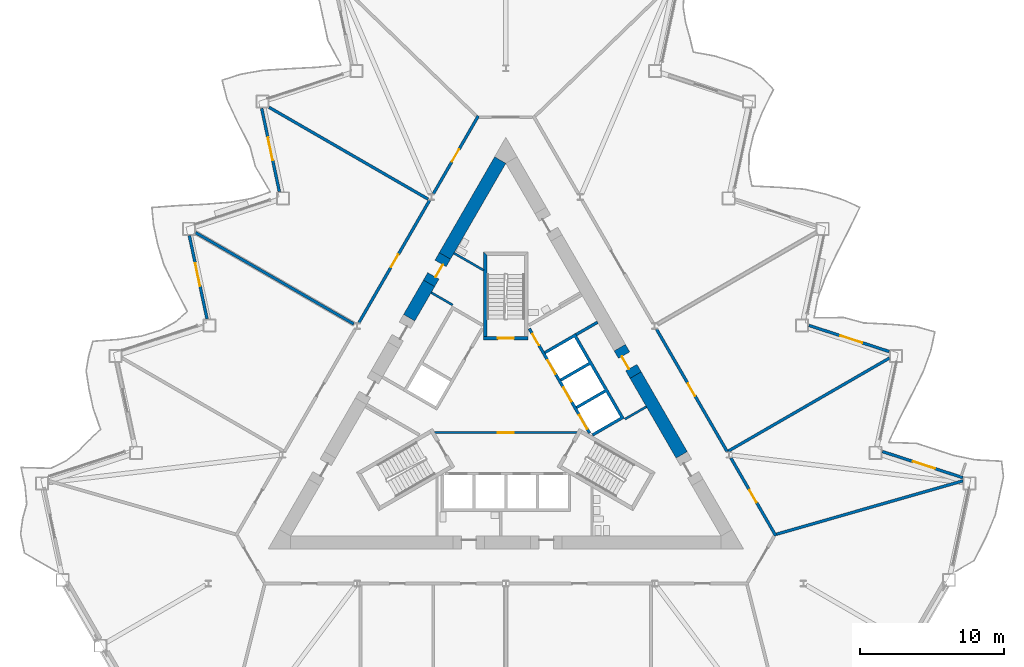
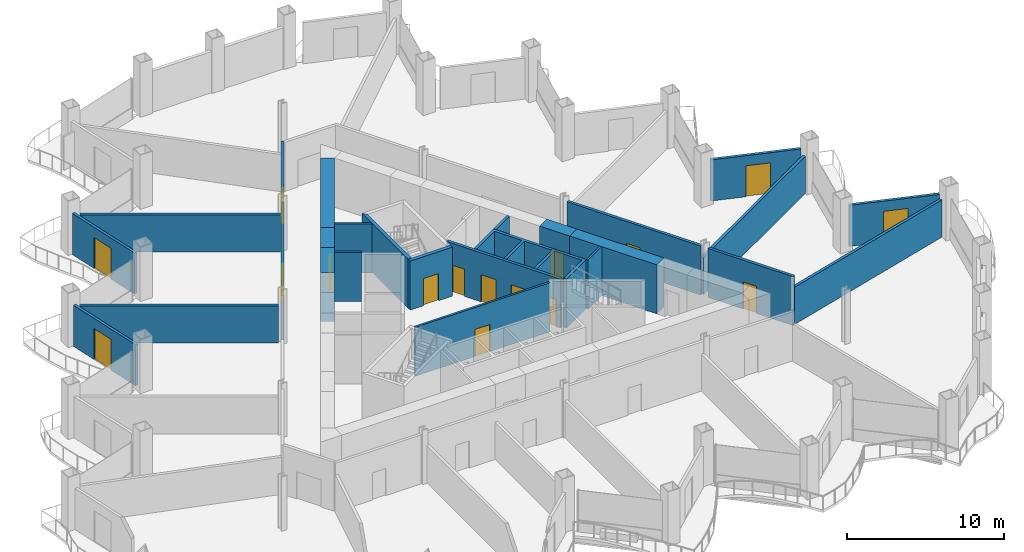
# One storey, part 12 of 21: 26 walls, 16 doors, 16 openings.
"""IFC4 building model written with IfcOpenShell, lengths in metres."""

import ifcopenshell
import ifcopenshell.guid

model = None  # the IFC model being written
_history = None  # IfcOwnerHistory: only IFC2X3 demands one
_inside = {}  # id of a spatial element -> (the spatial element, [elements in it])
_under = {}  # id of a project, library or spatial element -> (it, [spatial elements below it])
_declared = {}  # id of a project -> (the project, [libraries it declares])
_typed = {}  # id of a type object -> (the type object, [elements of that type])
_made_of = {}  # id of a material, layer set ... -> (it, [elements and type objects made of it])


def new_model(schema):
    """Start an empty IFC model of exactly this schema.

    Asked for "IFC4X3", IfcOpenShell would pick the latest addendum, in which some entities
    have other attributes; the version numbers below select the first issue.
    IFC2X3 requires an IfcOwnerHistory on every rooted entity: one is made here for all.
    """
    global model, _history
    if schema == "IFC4X3":
        model = ifcopenshell.file(schema_version=(4, 3, 0, 0))
    else:
        model = ifcopenshell.file(schema=schema)
    _inside.clear()
    _under.clear()
    _declared.clear()
    _typed.clear()
    _made_of.clear()
    _history = None
    if model.schema == "IFC2X3":
        org = make("IfcOrganization", Name="unknown")
        user = make(
            "IfcPersonAndOrganization",
            ThePerson=make("IfcPerson", FamilyName="unknown"),
            TheOrganization=org,
        )
        app = make(
            "IfcApplication",
            ApplicationDeveloper=org,
            Version="unknown",
            ApplicationFullName="unknown",
            ApplicationIdentifier="unknown",
        )
        _history = make(
            "IfcOwnerHistory",
            OwningUser=user,
            OwningApplication=app,
            ChangeAction="ADDED",
            CreationDate=0,
        )
    return model


def make(cls, **values):
    """One entity of the class cls with the attributes given. An attribute that is None is left unset."""
    return model.create_entity(
        cls, **{name: value for name, value in values.items() if value is not None}
    )


def rooted(cls, **values):
    """An entity with a GlobalId (a new one), such as an element, a storey or a relation."""
    return make(cls, GlobalId=ifcopenshell.guid.new(), OwnerHistory=_history, **values)


def si_unit(unit_type, name, prefix=None):
    """IfcSIUnit, for example si_unit("LENGTHUNIT", "METRE", prefix="MILLI")."""
    return make("IfcSIUnit", UnitType=unit_type, Prefix=prefix, Name=name)


def assignment(units):
    """IfcUnitAssignment: the units of a project."""
    return None if units is None else make("IfcUnitAssignment", Units=units)


def point(xyz):
    """IfcCartesianPoint."""
    return None if xyz is None else make("IfcCartesianPoint", Coordinates=xyz)


def direction(xyz):
    """IfcDirection."""
    return None if xyz is None else make("IfcDirection", DirectionRatios=xyz)


def frame(location, z_axis=None, x_axis=None):
    """IfcAxis2Placement3D, a coordinate frame: its origin and axes. An axis left out is left unset."""
    return make(
        "IfcAxis2Placement3D",
        Location=point(location),
        Axis=direction(z_axis),
        RefDirection=direction(x_axis),
    )


def frame_2d(location, x_axis=None):
    """IfcAxis2Placement2D, a coordinate frame in the plane: its origin and x axis."""
    return make(
        "IfcAxis2Placement2D", Location=point(location), RefDirection=direction(x_axis)
    )


def origin():
    """The frame at (0, 0, 0) with its axes left unset."""
    return frame((0.0, 0.0, 0.0))


def place(relative_to, where):
    """IfcLocalPlacement: puts the frame where relative to a parent placement (None: the world)."""
    return make(
        "IfcLocalPlacement", PlacementRelTo=relative_to, RelativePlacement=where
    )


def context(
    kind, dimensions, precision=None, world=None, true_north=None, identifier=None
):
    """IfcGeometricRepresentationContext, for example the 3D "Model" context."""
    return make(
        "IfcGeometricRepresentationContext",
        ContextIdentifier=identifier,
        ContextType=kind,
        CoordinateSpaceDimension=dimensions,
        Precision=precision,
        WorldCoordinateSystem=world,
        TrueNorth=true_north,
    )


def subcontext(parent, identifier, kind, view, scale=None):
    """IfcGeometricRepresentationSubContext, for example "Body" below "Model"."""
    return make(
        "IfcGeometricRepresentationSubContext",
        ContextIdentifier=identifier,
        ContextType=kind,
        ParentContext=parent,
        TargetScale=scale,
        TargetView=view,
    )


def project(units=None, contexts=None):
    """IfcProject with its units and contexts."""
    return rooted(
        "IfcProject",
        Name="project",
        RepresentationContexts=contexts,
        UnitsInContext=assignment(units),
    )


def spatial(cls, under=None, at=None, **own):
    """A site, building, storey or space (cls), placed at a placement, below another one or the project."""
    s = rooted(cls, ObjectPlacement=at, **own)
    if under is not None:
        _under.setdefault(under.id(), (under, []))[1].append(s)
    return s


def polyline(points):
    """IfcPolyline through the points."""
    return make("IfcPolyline", Points=[point(p) for p in points])


def profile(cls, at=None, kind="AREA", **sizes):
    """A parametric profile (cls). Its sizes go by their IFC names, for example OverallWidth=200.0."""
    return make(cls, ProfileType=kind, Position=at, **sizes)


def rectangle(**sizes):
    """IfcRectangleProfileDef."""
    return profile("IfcRectangleProfileDef", **sizes)


def outline(outer, holes=None, kind="AREA"):
    """IfcArbitraryClosedProfileDef: a profile drawn as a closed curve; with holes, ...WithVoids."""
    if holes is None:
        return make("IfcArbitraryClosedProfileDef", ProfileType=kind, OuterCurve=outer)
    return make(
        "IfcArbitraryProfileDefWithVoids",
        ProfileType=kind,
        OuterCurve=outer,
        InnerCurves=holes,
    )


def extrude(swept, where, along, depth):
    """IfcExtrudedAreaSolid: the profile swept, set in the frame where, extruded along a direction by depth."""
    return make(
        "IfcExtrudedAreaSolid",
        SweptArea=swept,
        Position=where,
        ExtrudedDirection=direction(along),
        Depth=depth,
    )


def shape(context_of_items, identifier, shape_type, items):
    """IfcShapeRepresentation: the items that make up one representation, for example the "Body"."""
    return make(
        "IfcShapeRepresentation",
        ContextOfItems=context_of_items,
        RepresentationIdentifier=identifier,
        RepresentationType=shape_type,
        Items=items,
    )


def material(Name=None, Category=None):
    """IfcMaterial."""
    return make("IfcMaterial", Name=Name, Category=Category)


def layer(
    of_material, thickness, ventilated=None, Name=None, Category=None, Priority=None
):
    """IfcMaterialLayer: one layer of a wall or slab, of a material (None: an air gap)."""
    return make(
        "IfcMaterialLayer",
        Material=of_material,
        LayerThickness=thickness,
        IsVentilated=ventilated,
        Name=Name,
        Category=Category,
        Priority=Priority,
    )


def layer_set(layers, Name=None):
    """IfcMaterialLayerSet."""
    return make("IfcMaterialLayerSet", MaterialLayers=layers, LayerSetName=Name)


def made_of(thing, what):
    """Note that an element or type object is made of a material, layer set ...; save() writes the relation."""
    if what is not None:
        _made_of.setdefault(what.id(), (what, []))[1].append(thing)
    return thing


def type_object(cls, material=None, **own):
    """A type object (cls), such as IfcWallType, which elements share."""
    return made_of(rooted(cls, **own), material)


def element(
    cls,
    number,
    at=None,
    inside=None,
    cuts=None,
    type_object=None,
    material=None,
    context=None,
    identifier="Body",
    shape_type=None,
    held_by="IfcProductDefinitionShape",
    body=None,
    shapes=None,
    **own,
):
    """One element of the class cls, such as IfcWall. Its Tag is "e" and its number.

    at: its placement. inside: the storey or other place that contains it. cuts: it is an
    opening in that element (IfcRelVoidsElement). A single representation is given by context,
    identifier, shape_type and body (its items); several are given by shapes. held_by: the class
    of the entity that holds the representations. save() writes the other relations.
    """
    e = rooted(cls, Tag="e%d" % number, ObjectPlacement=at, **own)
    if body is not None:
        shapes = [shape(context, identifier, shape_type, body)]
    if shapes is not None:
        e.Representation = make(held_by, Representations=shapes)
    if inside is not None:
        _inside.setdefault(inside.id(), (inside, []))[1].append(e)
    if cuts is not None:
        rooted(
            "IfcRelVoidsElement", RelatingBuildingElement=cuts, RelatedOpeningElement=e
        )
    if type_object is not None:
        _typed.setdefault(type_object.id(), (type_object, []))[1].append(e)
    return made_of(e, material)


def fill(opening, filler):
    """IfcRelFillsElement: the door or window that sits in an opening."""
    return rooted(
        "IfcRelFillsElement",
        RelatingOpeningElement=opening,
        RelatedBuildingElement=filler,
    )


def aggregate(whole, parts):
    """IfcRelAggregates: a whole, such as a stair, and the parts it consists of."""
    return rooted("IfcRelAggregates", RelatingObject=whole, RelatedObjects=parts)


def save(model, path):
    """Write the relations noted so far, then the file.

    IfcRelAggregates (storeys below a building ...), IfcRelContainedInSpatialStructure (elements
    in a storey), IfcRelDefinesByType, IfcRelAssociatesMaterial and IfcRelDeclares: one each for
    every whole, place, type object, material and project.
    """
    for whole, parts in _under.values():
        aggregate(whole, parts)
    for where, things in _inside.values():
        rooted(
            "IfcRelContainedInSpatialStructure",
            RelatedElements=things,
            RelatingStructure=where,
        )
    for kind, things in _typed.values():
        rooted("IfcRelDefinesByType", RelatedObjects=things, RelatingType=kind)
    for what, things in _made_of.values():
        rooted("IfcRelAssociatesMaterial", RelatedObjects=things, RelatingMaterial=what)
    for by, libraries in _declared.values():
        rooted("IfcRelDeclares", RelatingContext=by, RelatedDefinitions=libraries)
    model.write(path)


model = new_model("IFC4")

# Units and contexts
model_context = context("Model", 3, precision=1e-05, world=origin(), true_north=direction((0.0, 1.0)))
body_context = subcontext(model_context, "Body", "Model", "MODEL_VIEW")
ifc_project = project(units=[si_unit("LENGTHUNIT", "METRE"), si_unit("AREAUNIT", "SQUARE_METRE"), si_unit("VOLUMEUNIT", "CUBIC_METRE"), si_unit("PLANEANGLEUNIT", "RADIAN"), si_unit("MASSUNIT", "GRAM", prefix="KILO")], contexts=[model_context])

# Site, building, storey
site_placement = place(None, origin())
site = spatial("IfcSite", under=ifc_project, at=site_placement, CompositionType="ELEMENT")
building_placement = place(site_placement, origin())
building = spatial("IfcBuilding", under=site, at=building_placement, Name="Cormorant Prow Tower", CompositionType="ELEMENT")
storey_placement = place(building_placement, frame((0.0, 0.0, 124.800048828125)))
storey = spatial("IfcBuildingStorey", under=building, at=storey_placement, Name="L26", CompositionType="ELEMENT", Elevation=124.800048828125)

# Wall, opening, door
ifc_material_1 = material(Name="Gypsum board partition")
ifc_layer_1 = layer(ifc_material_1, 0.14990234375)
ifc_layer_set_1 = layer_set([ifc_layer_1], Name="Gypsum board partition")
wall_type_1 = type_object("IfcWallType", Name="Core partition 150", PredefinedType="PARTITIONING", material=ifc_layer_set_1)
wall_1_placement = place(storey_placement, frame((-4.941162109375, -1.449951171875, 0.0), z_axis=(0.0, 0.0, 1.0), x_axis=(1.0, 0.0, 0.0)))
wall_1 = element("IfcWall", 1, at=wall_1_placement, inside=storey, type_object=wall_type_1, Name="Firefighting lobby partition", PredefinedType="PARTITIONING", context=body_context, shape_type="SweptSolid", body=[
    extrude(rectangle(XDim=9.88232421875, YDim=0.14990234375, at=frame_2d((4.941162109375, 0.0))), origin(), (0.0, 0.0, 1.0), 3.800048828125),
])
opening_1_placement = place(wall_1_placement, frame((4.39111328125, 0.0, 0.0)))
opening_1 = element("IfcOpeningElement", 2, at=opening_1_placement, cuts=wall_1, Name="Opening L26-C10", PredefinedType="OPENING", context=body_context, shape_type="SweptSolid", body=[
    extrude(rectangle(XDim=1.10009765625, YDim=2.10009765625, at=frame_2d((0.550048828125, 1.050048828125))), frame((0.0, 0.0849609375, 0.0), z_axis=(0.0, -1.0, 0.0), x_axis=(1.0, 0.0, 0.0)), (0.0, 0.0, 1.0), 0.169921875),
])
ifc_material_2 = material(Name="Painted steel", Category="steel")
door_type_1 = type_object("IfcDoorType", Name="Firefighting lobby door 1100x2100", OperationType="NOTDEFINED", PredefinedType="DOOR", material=ifc_material_2)
door_1_placement = place(opening_1_placement, origin())
door_1 = element("IfcDoor", 3, at=door_1_placement, inside=storey, type_object=door_type_1, Name="Firefighting lobby door", OperationType="SINGLE_SWING_LEFT", OverallHeight=2.10009765625, OverallWidth=1.10009765625, PredefinedType="DOOR", context=body_context, shape_type="SweptSolid", body=[
    extrude(rectangle(XDim=1.10009765625, YDim=2.10009765625, at=frame_2d((0.550048828125, 1.050048828125))), frame((0.0, 0.02490234375, 0.0), z_axis=(0.0, -1.0, 0.0), x_axis=(1.0, 0.0, 0.0)), (0.0, 0.0, 1.0), 0.050048828125),
])
fill(opening_1, door_1)

# Walls
for number, where, z_axis, x_axis, name in (
    (4, (8.268310546875, -0.509033203125, 0.0), (0.0, 0.0, 1.0), (0.866024871741, 0.500000921525, 0.0), "Service room partition"),
    (5, (-3.693359375, 7.4150390625, 0.0), (0.0, 0.0, 1.0), (-0.866024871741, 0.500000921525, 0.0), "Service room partition"),
):
    element("IfcWall", number, at=place(storey_placement, frame(where, z_axis=z_axis, x_axis=x_axis)), inside=storey, type_object=wall_type_1, Name=name, PredefinedType="PARTITIONING", context=body_context, shape_type="SweptSolid", body=[
        extrude(rectangle(XDim=1.72021484375, YDim=0.14990234375, at=frame_2d((0.860107421875, 0.0))), origin(), (0.0, 0.0, 1.0), 3.800048828125),
    ])
wall_2_placement = place(storey_placement, frame((-3.601806640625, 11.013916015625, 0.0), z_axis=(0.0, 0.0, 1.0), x_axis=(0.866011787705, -0.500023583, 0.0)))
element("IfcWall", 6, at=wall_2_placement, inside=storey, type_object=wall_type_1, Name="Service room partition", PredefinedType="PARTITIONING", context=body_context, shape_type="SweptSolid", body=[
    extrude(rectangle(XDim=2.38623046875, YDim=0.14990234375, at=frame_2d((1.193115234375, 0.0))), origin(), (0.0, 0.0, 1.0), 3.800048828125),
])
ifc_material_3 = material(Name="Concrete 8000 psi", Category="concrete")
ifc_layer_2 = layer(ifc_material_3, 0.89990234375)
ifc_layer_set_2 = layer_set([ifc_layer_2], Name="Concrete 8000 psi")
wall_type_2 = type_object("IfcWallType", Name="Core shear wall 900", PredefinedType="SHEAR", material=ifc_layer_set_2)
wall_3_placement = place(storey_placement, frame((12.2080078125, -2.992431640625, 0.0), z_axis=(0.0, 0.0, 1.0), x_axis=(-0.499990106751, 0.866031115579, 0.0)))
element("IfcWall", 7, at=wall_3_placement, inside=storey, type_object=wall_type_2, Name="Core wall", PredefinedType="SHEAR", context=body_context, shape_type="SweptSolid", body=[
    extrude(rectangle(XDim=6.395751953125, YDim=0.89990234375, at=frame_2d((3.19775390625, 0.0))), origin(), (0.0, 0.0, 1.0), 3.800048828125),
])
wall_4_placement = place(storey_placement, frame((-0.3896484375, 17.4775390625, 0.0), z_axis=(0.0, 0.0, 1.0), x_axis=(-0.500010285023, -0.866019465642, 0.0)))
element("IfcWall", 8, at=wall_4_placement, inside=storey, type_object=wall_type_2, Name="Core wall", PredefinedType="SHEAR", context=body_context, shape_type="SweptSolid", body=[
    extrude(rectangle(XDim=7.684814453125, YDim=0.89990234375, at=frame_2d((3.84228515625, 0.0))), origin(), (0.0, 0.0, 1.0), 3.800048828125),
])
wall_5_placement = place(storey_placement, frame((-5.332275390625, 8.9169921875, 0.0), z_axis=(0.0, 0.0, 1.0), x_axis=(-0.499949934511, -0.866054307178, 0.0)))
element("IfcWall", 9, at=wall_5_placement, inside=storey, type_object=wall_type_2, Name="Core wall", PredefinedType="SHEAR", context=body_context, shape_type="SweptSolid", body=[
    extrude(rectangle(XDim=2.756103515625, YDim=0.89990234375, at=frame_2d((1.3779296875, 0.0))), origin(), (0.0, 0.0, 1.0), 3.800048828125),
])

# Wall, opening, door
wall_6_placement = place(storey_placement, frame((9.01025390625, 2.54638671875, 0.0), z_axis=(0.0, 0.0, 1.0), x_axis=(-0.499994660107, 0.866028486751, 0.0)))
wall_6 = element("IfcWall", 10, at=wall_6_placement, inside=storey, type_object=wall_type_2, Name="Core wall door panel", PredefinedType="SHEAR", context=body_context, shape_type="SweptSolid", body=[
    extrude(rectangle(XDim=2.19970703125, YDim=0.89990234375, at=frame_2d((1.099853515625, 0.0))), origin(), (0.0, 0.0, 1.0), 3.800048828125),
])
opening_2_placement = place(wall_6_placement, frame((0.60009765625, 0.0, 0.0)))
opening_2 = element("IfcOpeningElement", 11, at=opening_2_placement, cuts=wall_6, Name="Opening L26-C18", PredefinedType="OPENING", context=body_context, shape_type="SweptSolid", body=[
    extrude(rectangle(XDim=1.0, YDim=2.10009765625, at=frame_2d((0.5, 1.050048828125))), frame((0.0, 0.4599609375, 0.0), z_axis=(0.0, -1.0, 0.0), x_axis=(1.0, 0.0, 0.0)), (0.0, 0.0, 1.0), 0.919921875),
])
ifc_material_4 = material(Name="Painted steel", Category="steel")
door_type_2 = type_object("IfcDoorType", Name="Service door 1000x2100", OperationType="NOTDEFINED", PredefinedType="DOOR", material=ifc_material_4)
door_2_placement = place(opening_2_placement, origin())
door_2 = element("IfcDoor", 12, at=door_2_placement, inside=storey, type_object=door_type_2, Name="Core door, Housekeeping store", OperationType="SINGLE_SWING_LEFT", OverallHeight=2.10009765625, OverallWidth=1.0, PredefinedType="DOOR", context=body_context, shape_type="SweptSolid", body=[
    extrude(rectangle(XDim=1.0, YDim=2.10009765625, at=frame_2d((0.5, 1.050048828125))), frame((0.0, 0.205078125, 0.0), z_axis=(0.0, -1.0, 0.0), x_axis=(1.0, 0.0, 0.0)), (0.0, 0.0, 1.0), 0.050048828125),
])
fill(opening_2, door_2)

wall_7_placement = place(storey_placement, frame((-4.232177734375, 10.822265625, 0.0), z_axis=(0.0, 0.0, 1.0), x_axis=(-0.50002983664, -0.866008176907, 0.0)))
wall_7 = element("IfcWall", 13, at=wall_7_placement, inside=storey, type_object=wall_type_2, Name="Core wall door panel", PredefinedType="SHEAR", context=body_context, shape_type="SweptSolid", body=[
    extrude(rectangle(XDim=2.199951171875, YDim=0.89990234375, at=frame_2d((1.10009765625, 0.0))), origin(), (0.0, 0.0, 1.0), 3.800048828125),
])
opening_3_placement = place(wall_7_placement, frame((0.60009765625, 0.0, 0.0)))
opening_3 = element("IfcOpeningElement", 14, at=opening_3_placement, cuts=wall_7, Name="Opening L26-C20", PredefinedType="OPENING", context=body_context, shape_type="SweptSolid", body=[
    extrude(rectangle(XDim=1.0, YDim=2.10009765625, at=frame_2d((0.5, 1.050048828125))), frame((0.0, 0.4599609375, 0.0), z_axis=(0.0, -1.0, 0.0), x_axis=(1.0, 0.0, 0.0)), (0.0, 0.0, 1.0), 0.919921875),
])
door_3_placement = place(opening_3_placement, origin())
door_3 = element("IfcDoor", 15, at=door_3_placement, inside=storey, type_object=door_type_2, Name="Core door, Linen store", OperationType="SINGLE_SWING_RIGHT", OverallHeight=2.10009765625, OverallWidth=1.0, PredefinedType="DOOR", context=body_context, shape_type="SweptSolid", body=[
    extrude(rectangle(XDim=1.0, YDim=2.10009765625, at=frame_2d((0.5, 1.050048828125))), frame((0.0, 0.205078125, 0.0), z_axis=(0.0, -1.0, 0.0), x_axis=(1.0, 0.0, 0.0)), (0.0, 0.0, 1.0), 0.050048828125),
])
fill(opening_3, door_3)

ifc_material_5 = material(Name="Gypsum board corridor wall")
ifc_layer_3 = layer(ifc_material_5, 0.199951171875)
ifc_layer_set_3 = layer_set([ifc_layer_3], Name="Gypsum board corridor wall")
wall_type_3 = type_object("IfcWallType", Name="Corridor wall 200", PredefinedType="PARTITIONING", material=ifc_layer_set_3)
wall_8_placement = place(storey_placement, frame((10.459716796875, 5.735595703125, 0.0), z_axis=(0.0, 0.0, 1.0), x_axis=(0.500004141693, -0.866023012564, 0.0)))
wall_8 = element("IfcWall", 16, at=wall_8_placement, inside=storey, type_object=wall_type_3, Name="Corridor wall", PredefinedType="PARTITIONING", context=body_context, shape_type="SweptSolid", body=[
    extrude(rectangle(XDim=9.80322265625, YDim=0.199951171875, at=frame_2d((4.901611328125, 0.0))), origin(), (0.0, 0.0, 1.0), 3.800048828125),
])
opening_4_placement = place(wall_8_placement, frame((4.3515625, 0.0, 0.0)))
opening_4 = element("IfcOpeningElement", 17, at=opening_4_placement, cuts=wall_8, Name="Opening L26-F08", PredefinedType="OPENING", context=body_context, shape_type="SweptSolid", body=[
    extrude(rectangle(XDim=1.0, YDim=2.10009765625, at=frame_2d((0.5, 1.050048828125))), frame((0.0, 0.10986328125, 0.0), z_axis=(0.0, -1.0, 0.0), x_axis=(1.0, 0.0, 0.0)), (0.0, 0.0, 1.0), 0.219970703125),
])
ifc_material_6 = material(Name="Timber door leaf", Category="wood")
door_type_3 = type_object("IfcDoorType", Name="Office door 1000x2100", OperationType="NOTDEFINED", PredefinedType="DOOR", material=ifc_material_6)
door_4_placement = place(opening_4_placement, origin())
door_4 = element("IfcDoor", 18, at=door_4_placement, inside=storey, type_object=door_type_3, Name="Co-working room door", OperationType="SINGLE_SWING_LEFT", OverallHeight=2.10009765625, OverallWidth=1.0, PredefinedType="DOOR", context=body_context, shape_type="SweptSolid", body=[
    extrude(rectangle(XDim=1.0, YDim=2.10009765625, at=frame_2d((0.5, 1.050048828125))), frame((0.0, 0.02490234375, 0.0), z_axis=(0.0, -1.0, 0.0), x_axis=(1.0, 0.0, 0.0)), (0.0, 0.0, 1.0), 0.050048828125),
])
fill(opening_4, door_4)

wall_9_placement = place(storey_placement, frame((-10.197265625, 6.1904296875, 0.0), z_axis=(0.0, 0.0, 1.0), x_axis=(0.500012035596, 0.866018454918, 0.0)))
wall_9 = element("IfcWall", 19, at=wall_9_placement, inside=storey, type_object=wall_type_3, Name="Corridor wall", PredefinedType="PARTITIONING", context=body_context, shape_type="SweptSolid", body=[
    extrude(rectangle(XDim=9.803466796875, YDim=0.199951171875, at=frame_2d((4.90185546875, 0.0))), origin(), (0.0, 0.0, 1.0), 3.800048828125),
])
opening_5_placement = place(wall_9_placement, frame((4.45166015625, 0.0, 0.0)))
opening_5 = element("IfcOpeningElement", 20, at=opening_5_placement, cuts=wall_9, Name="Opening L26-F12", PredefinedType="OPENING", context=body_context, shape_type="SweptSolid", body=[
    extrude(rectangle(XDim=1.0, YDim=2.10009765625, at=frame_2d((0.5, 1.050048828125))), frame((0.0, 0.10986328125, 0.0), z_axis=(0.0, -1.0, 0.0), x_axis=(1.0, 0.0, 0.0)), (0.0, 0.0, 1.0), 0.219970703125),
])
door_5_placement = place(opening_5_placement, origin())
door_5 = element("IfcDoor", 21, at=door_5_placement, inside=storey, type_object=door_type_3, Name="Tenant suite door", OperationType="SINGLE_SWING_RIGHT", OverallHeight=2.10009765625, OverallWidth=1.0, PredefinedType="DOOR", context=body_context, shape_type="SweptSolid", body=[
    extrude(rectangle(XDim=1.0, YDim=2.10009765625, at=frame_2d((0.5, 1.050048828125))), frame((0.0, 0.02490234375, 0.0), z_axis=(0.0, -1.0, 0.0), x_axis=(1.0, 0.0, 0.0)), (0.0, 0.0, 1.0), 0.050048828125),
])
fill(opening_5, door_5)

wall_10_placement = place(storey_placement, frame((-5.032958984375, 15.13525390625, 0.0), z_axis=(0.0, 0.0, 1.0), x_axis=(0.499980978912, 0.866036385336, 0.0)))
wall_10 = element("IfcWall", 22, at=wall_10_placement, inside=storey, type_object=wall_type_3, Name="Corridor wall", PredefinedType="PARTITIONING", context=body_context, shape_type="SweptSolid", body=[
    extrude(rectangle(XDim=6.239990234375, YDim=0.199951171875, at=frame_2d((3.1201171875, 0.0))), origin(), (0.0, 0.0, 1.0), 3.800048828125),
])
opening_6_placement = place(wall_10_placement, frame((2.569580078125, 0.0, 0.0)))
opening_6 = element("IfcOpeningElement", 23, at=opening_6_placement, cuts=wall_10, Name="Opening L26-F11", PredefinedType="OPENING", context=body_context, shape_type="SweptSolid", body=[
    extrude(rectangle(XDim=1.0, YDim=2.10009765625, at=frame_2d((0.5, 1.050048828125))), frame((0.0, 0.10986328125, 0.0), z_axis=(0.0, -1.0, 0.0), x_axis=(1.0, 0.0, 0.0)), (0.0, 0.0, 1.0), 0.219970703125),
])
door_6_placement = place(opening_6_placement, origin())
door_6 = element("IfcDoor", 24, at=door_6_placement, inside=storey, type_object=door_type_3, Name="Open-plan office door", OperationType="SINGLE_SWING_RIGHT", OverallHeight=2.10009765625, OverallWidth=1.0, PredefinedType="DOOR", context=body_context, shape_type="SweptSolid", body=[
    extrude(rectangle(XDim=1.0, YDim=2.10009765625, at=frame_2d((0.5, 1.050048828125))), frame((0.0, 0.02490234375, 0.0), z_axis=(0.0, -1.0, 0.0), x_axis=(1.0, 0.0, 0.0)), (0.0, 0.0, 1.0), 0.050048828125),
])
fill(opening_6, door_6)

wall_11_placement = place(storey_placement, frame((15.6240234375, -3.208984375, 0.0), z_axis=(0.0, 0.0, 1.0), x_axis=(0.499997920671, -0.866026604282, 0.0)))
wall_11 = element("IfcWall", 25, at=wall_11_placement, inside=storey, type_object=wall_type_3, Name="Corridor wall", PredefinedType="PARTITIONING", context=body_context, shape_type="SweptSolid", body=[
    extrude(rectangle(XDim=6.23974609375, YDim=0.199951171875, at=frame_2d((3.119873046875, 0.0))), origin(), (0.0, 0.0, 1.0), 3.800048828125),
])
opening_7_placement = place(wall_11_placement, frame((2.569580078125, 0.0, 0.0)))
opening_7 = element("IfcOpeningElement", 26, at=opening_7_placement, cuts=wall_11, Name="Opening L26-F07", PredefinedType="OPENING", context=body_context, shape_type="SweptSolid", body=[
    extrude(rectangle(XDim=1.0, YDim=2.10009765625, at=frame_2d((0.5, 1.050048828125))), frame((0.0, 0.10986328125, 0.0), z_axis=(0.0, -1.0, 0.0), x_axis=(1.0, 0.0, 0.0)), (0.0, 0.0, 1.0), 0.219970703125),
])
door_7_placement = place(opening_7_placement, origin())
door_7 = element("IfcDoor", 27, at=door_7_placement, inside=storey, type_object=door_type_3, Name="Tenant suite door", OperationType="SINGLE_SWING_RIGHT", OverallHeight=2.10009765625, OverallWidth=1.0, PredefinedType="DOOR", context=body_context, shape_type="SweptSolid", body=[
    extrude(rectangle(XDim=1.0, YDim=2.10009765625, at=frame_2d((0.5, 1.050048828125))), frame((0.0, 0.02490234375, 0.0), z_axis=(0.0, -1.0, 0.0), x_axis=(1.0, 0.0, 0.0)), (0.0, 0.0, 1.0), 0.050048828125),
])
fill(opening_7, door_7)

# Walls
ifc_material_7 = material(Name="Gypsum board demising wall")
ifc_layer_4 = layer(ifc_material_7, 0.199951171875)
ifc_layer_set_4 = layer_set([ifc_layer_4], Name="Gypsum board demising wall")
wall_type_4 = type_object("IfcWallType", Name="Demising wall 200", PredefinedType="PARTITIONING", material=ifc_layer_set_4)
wall_12_placement = place(storey_placement, frame((18.7900390625, -8.498779296875, 0.0), z_axis=(0.0, 0.0, 1.0), x_axis=(0.961478776026, 0.274879179372, 0.0)))
element("IfcWall", 28, at=wall_12_placement, inside=storey, type_object=wall_type_4, Name="Demising wall", PredefinedType="PARTITIONING", context=body_context, shape_type="SweptSolid", body=[
    extrude(rectangle(XDim=13.46484375, YDim=0.199951171875, at=frame_2d((6.732421875, 0.0))), origin(), (0.0, 0.0, 1.0), 2.88525390625),
])
wall_13_placement = place(storey_placement, frame((15.4033203125, -2.754150390625, 0.0), z_axis=(0.0, 0.0, 1.0), x_axis=(0.866024473704, 0.500001610943, 0.0)))
element("IfcWall", 29, at=wall_13_placement, inside=storey, type_object=wall_type_4, Name="Demising wall", PredefinedType="PARTITIONING", context=body_context, shape_type="SweptSolid", body=[
    extrude(rectangle(XDim=12.970703125, YDim=0.199951171875, at=frame_2d((6.4853515625, 0.0))), origin(), (0.0, 0.0, 1.0), 2.88525390625),
])
wall_14_placement = place(storey_placement, frame((-16.436279296875, 21.13671875, 0.0), z_axis=(0.0, 0.0, 1.0), x_axis=(0.866023321739, -0.500003606191, 0.0)))
element("IfcWall", 30, at=wall_14_placement, inside=storey, type_object=wall_type_4, Name="Demising wall", PredefinedType="PARTITIONING", context=body_context, shape_type="SweptSolid", body=[
    extrude(rectangle(XDim=12.75341796875, YDim=0.199951171875, at=frame_2d((6.376708984375, 0.0))), origin(), (0.0, 0.0, 1.0), 2.88525390625),
])
wall_15_placement = place(storey_placement, frame((-21.536376953125, 12.43408203125, 0.0), z_axis=(0.0, 0.0, 1.0), x_axis=(0.86602461759, -0.500001361726, 0.0)))
element("IfcWall", 31, at=wall_15_placement, inside=storey, type_object=wall_type_4, Name="Demising wall", PredefinedType="PARTITIONING", context=body_context, shape_type="SweptSolid", body=[
    extrude(rectangle(XDim=12.67919921875, YDim=0.199951171875, at=frame_2d((6.339599609375, 0.0))), origin(), (0.0, 0.0, 1.0), 2.88525390625),
])

# Wall, openings, doors
ifc_material_8 = material(Name="Concrete 5000 psi", Category="concrete")
ifc_layer_5 = layer(ifc_material_8, 0.199951171875)
ifc_layer_set_5 = layer_set([ifc_layer_5], Name="Concrete 5000 psi")
wall_type_5 = type_object("IfcWallType", Name="Lift lobby wall 200", PredefinedType="SOLIDWALL", material=ifc_layer_set_5)
wall_16_placement = place(storey_placement, frame((5.817138671875, -1.4755859375, 0.0), z_axis=(0.0, 0.0, 1.0), x_axis=(-0.500002616675, 0.866023893041, 0.0)))
wall_16 = element("IfcWall", 32, at=wall_16_placement, inside=storey, type_object=wall_type_5, Name="Lift lobby wall, ENE block", PredefinedType="SOLIDWALL", context=body_context, shape_type="SweptSolid", body=[
    extrude(rectangle(XDim=8.373046875, YDim=0.199951171875, at=frame_2d((4.1865234375, 0.0))), origin(), (0.0, 0.0, 1.0), 3.800048828125),
])
opening_8_placement = place(wall_16_placement, frame((0.336669921875, 0.0, 0.0)))
opening_8 = element("IfcOpeningElement", 33, at=opening_8_placement, cuts=wall_16, Name="Opening L26-C05", PredefinedType="OPENING", context=body_context, shape_type="SweptSolid", body=[
    extrude(rectangle(XDim=1.10009765625, YDim=2.10009765625, at=frame_2d((0.550048828125, 1.050048828125))), frame((0.0, 0.10986328125, 0.0), z_axis=(0.0, -1.0, 0.0), x_axis=(1.0, 0.0, 0.0)), (0.0, 0.0, 1.0), 0.219970703125),
])
opening_9_placement = place(wall_16_placement, frame((2.53662109375, 0.0, 0.0)))
opening_9 = element("IfcOpeningElement", 34, at=opening_9_placement, cuts=wall_16, Name="Opening L26-C06", PredefinedType="OPENING", context=body_context, shape_type="SweptSolid", body=[
    extrude(rectangle(XDim=1.10009765625, YDim=2.10009765625, at=frame_2d((0.550048828125, 1.050048828125))), frame((0.0, 0.10986328125, 0.0), z_axis=(0.0, -1.0, 0.0), x_axis=(1.0, 0.0, 0.0)), (0.0, 0.0, 1.0), 0.219970703125),
])
opening_10_placement = place(wall_16_placement, frame((4.736572265625, 0.0, 0.0)))
opening_10 = element("IfcOpeningElement", 35, at=opening_10_placement, cuts=wall_16, Name="Opening L26-C07", PredefinedType="OPENING", context=body_context, shape_type="SweptSolid", body=[
    extrude(rectangle(XDim=1.10009765625, YDim=2.10009765625, at=frame_2d((0.550048828125, 1.050048828125))), frame((0.0, 0.10986328125, 0.0), z_axis=(0.0, -1.0, 0.0), x_axis=(1.0, 0.0, 0.0)), (0.0, 0.0, 1.0), 0.219970703125),
])
opening_11_placement = place(wall_16_placement, frame((7.03662109375, 0.0, 0.0)))
opening_11 = element("IfcOpeningElement", 36, at=opening_11_placement, cuts=wall_16, Name="Opening L26-C08", PredefinedType="OPENING", context=body_context, shape_type="SweptSolid", body=[
    extrude(rectangle(XDim=0.89990234375, YDim=2.10009765625, at=frame_2d((0.449951171875, 1.050048828125))), frame((0.0, 0.10986328125, 0.0), z_axis=(0.0, -1.0, 0.0), x_axis=(1.0, 0.0, 0.0)), (0.0, 0.0, 1.0), 0.219970703125),
])
ifc_material_9 = material(Name="Painted steel", Category="steel")
door_type_4 = type_object("IfcDoorType", Name="Lift landing door 1100x2100", OperationType="SLIDING_TO_LEFT", PredefinedType="DOOR", material=ifc_material_9)
door_8_placement = place(opening_8_placement, origin())
door_8 = element("IfcDoor", 37, at=door_8_placement, inside=storey, type_object=door_type_4, Name="Landing door LR2", OperationType="SLIDING_TO_LEFT", OverallHeight=2.10009765625, OverallWidth=1.10009765625, PredefinedType="DOOR", context=body_context, shape_type="SweptSolid", body=[
    extrude(rectangle(XDim=1.10009765625, YDim=2.10009765625, at=frame_2d((0.550048828125, 1.050048828125))), frame((0.0, 0.02490234375, 0.0), z_axis=(0.0, -1.0, 0.0), x_axis=(1.0, 0.0, 0.0)), (0.0, 0.0, 1.0), 0.050048828125),
])
fill(opening_8, door_8)
door_9_placement = place(opening_9_placement, origin())
door_9 = element("IfcDoor", 38, at=door_9_placement, inside=storey, type_object=door_type_4, Name="Landing door LR3", OperationType="SLIDING_TO_LEFT", OverallHeight=2.10009765625, OverallWidth=1.10009765625, PredefinedType="DOOR", context=body_context, shape_type="SweptSolid", body=[
    extrude(rectangle(XDim=1.10009765625, YDim=2.10009765625, at=frame_2d((0.550048828125, 1.050048828125))), frame((0.0, 0.02490234375, 0.0), z_axis=(0.0, -1.0, 0.0), x_axis=(1.0, 0.0, 0.0)), (0.0, 0.0, 1.0), 0.050048828125),
])
fill(opening_9, door_9)
door_10_placement = place(opening_10_placement, origin())
door_10 = element("IfcDoor", 39, at=door_10_placement, inside=storey, type_object=door_type_4, Name="Landing door LR4", OperationType="SLIDING_TO_LEFT", OverallHeight=2.10009765625, OverallWidth=1.10009765625, PredefinedType="DOOR", context=body_context, shape_type="SweptSolid", body=[
    extrude(rectangle(XDim=1.10009765625, YDim=2.10009765625, at=frame_2d((0.550048828125, 1.050048828125))), frame((0.0, 0.02490234375, 0.0), z_axis=(0.0, -1.0, 0.0), x_axis=(1.0, 0.0, 0.0)), (0.0, 0.0, 1.0), 0.050048828125),
])
fill(opening_10, door_10)
ifc_material_10 = material(Name="Painted steel", Category="steel")
door_type_5 = type_object("IfcDoorType", Name="Service door 900x2100", OperationType="NOTDEFINED", PredefinedType="DOOR", material=ifc_material_10)
door_11_placement = place(opening_11_placement, origin())
door_11 = element("IfcDoor", 40, at=door_11_placement, inside=storey, type_object=door_type_5, Name="Service door, Pantry store", OperationType="SINGLE_SWING_RIGHT", OverallHeight=2.10009765625, OverallWidth=0.89990234375, PredefinedType="DOOR", context=body_context, shape_type="SweptSolid", body=[
    extrude(rectangle(XDim=0.89990234375, YDim=2.10009765625, at=frame_2d((0.449951171875, 1.050048828125))), frame((0.0, 0.02490234375, 0.0), z_axis=(0.0, -1.0, 0.0), x_axis=(1.0, 0.0, 0.0)), (0.0, 0.0, 1.0), 0.050048828125),
])
fill(opening_11, door_11)

# Walls
ifc_material_11 = material(Name="Concrete 8000 psi", Category="concrete")
ifc_layer_6 = layer(ifc_material_11, 0.199951171875)
ifc_layer_set_6 = layer_set([ifc_layer_6], Name="Concrete 8000 psi")
wall_type_6 = type_object("IfcWallType", Name="Lift shaft wall 200", PredefinedType="SHEAR", material=ifc_layer_set_6)
wall_17_placement = place(storey_placement, origin())
element("IfcWall", 41, at=wall_17_placement, inside=storey, type_object=wall_type_6, Name="Lift shaft walls, ENE block", PredefinedType="SHEAR", context=body_context, shape_type="SweptSolid", body=[
    extrude(outline(polyline([(2.660400390625, 4.19189453125), (4.830810546875, 5.44482421875), (8.230712890625, -0.444091796875), (6.060546875, -1.697021484375), (5.96044921875, -1.52392578125), (7.952392578125, -0.373779296875), (6.952392578125, 1.358154296875), (4.96044921875, 0.2080078125), (4.860595703125, 0.38134765625), (6.852294921875, 1.53125), (5.852294921875, 3.263427734375), (3.860595703125, 2.11328125), (3.760498046875, 2.28662109375), (5.75244140625, 3.4365234375), (4.75244140625, 5.168701171875), (2.760498046875, 4.018798828125), (2.660400390625, 4.19189453125)])), origin(), (0.0, 0.0, 1.0), 3.800048828125),
])
wall_18_placement = place(storey_placement, frame((4.880859375, 5.3583984375, 0.0), z_axis=(0.0, 0.0, 1.0), x_axis=(0.866024871741, 0.500000921525, 0.0)))
element("IfcWall", 42, at=wall_18_placement, inside=storey, type_object=wall_type_6, Name="Store side wall", PredefinedType="SHEAR", context=body_context, shape_type="SweptSolid", body=[
    extrude(rectangle(XDim=1.72021484375, YDim=0.199951171875, at=frame_2d((0.860107421875, 0.0))), origin(), (0.0, 0.0, 1.0), 3.800048828125),
])
ifc_material_12 = material(Name="Concrete 8000 psi", Category="concrete")
ifc_layer_7 = layer(ifc_material_12, 0.25)
ifc_layer_set_7 = layer_set([ifc_layer_7], Name="Concrete 8000 psi")
wall_type_7 = type_object("IfcWallType", Name="Stair wall 250", PredefinedType="SHEAR", material=ifc_layer_set_7)
wall_19_placement = place(storey_placement, origin())
element("IfcWall", 43, at=wall_19_placement, inside=storey, type_object=wall_type_7, Name="Stair ST3 enclosure wall (flank)", PredefinedType="SHEAR", context=body_context, shape_type="SweptSolid", body=[
    extrude(outline(polyline([(-1.2939453125, 10.8369140625), (-1.5439453125, 11.0869140625), (-1.5439453125, 5.23681640625), (-1.2939453125, 5.23681640625), (-1.2939453125, 10.8369140625)])), origin(), (0.0, 0.0, 1.0), 3.800048828125),
])

# Wall, opening, door
wall_20_placement = place(storey_placement, frame((1.5439453125, 5.11181640625, 0.0), z_axis=(0.0, 0.0, 1.0), x_axis=(-1.0, 0.0, 0.0)))
wall_20 = element("IfcWall", 44, at=wall_20_placement, inside=storey, type_object=wall_type_7, Name="Stair ST3 door wall", PredefinedType="SHEAR", context=body_context, shape_type="SweptSolid", body=[
    extrude(rectangle(XDim=3.087890625, YDim=0.25, at=frame_2d((1.5439453125, 0.0))), origin(), (0.0, 0.0, 1.0), 3.800048828125),
])
opening_12_placement = place(wall_20_placement, frame((0.993896484375, 0.0, 0.0)))
opening_12 = element("IfcOpeningElement", 45, at=opening_12_placement, cuts=wall_20, Name="Opening L26-C13", PredefinedType="OPENING", context=body_context, shape_type="SweptSolid", body=[
    extrude(rectangle(XDim=1.10009765625, YDim=2.10009765625, at=frame_2d((0.550048828125, 1.050048828125))), frame((0.0, 0.135009765625, 0.0), z_axis=(0.0, -1.0, 0.0), x_axis=(1.0, 0.0, 0.0)), (0.0, 0.0, 1.0), 0.27001953125),
])
ifc_material_13 = material(Name="Painted steel", Category="steel")
door_type_6 = type_object("IfcDoorType", Name="Stair door 1100x2100", OperationType="NOTDEFINED", PredefinedType="DOOR", material=ifc_material_13)
door_12_placement = place(opening_12_placement, origin())
door_12 = element("IfcDoor", 46, at=door_12_placement, inside=storey, type_object=door_type_6, Name="Stair ST3 door", OperationType="SINGLE_SWING_LEFT", OverallHeight=2.10009765625, OverallWidth=1.10009765625, PredefinedType="DOOR", context=body_context, shape_type="SweptSolid", body=[
    extrude(rectangle(XDim=1.10009765625, YDim=2.10009765625, at=frame_2d((0.550048828125, 1.050048828125))), frame((0.0, 0.02490234375, 0.0), z_axis=(0.0, -1.0, 0.0), x_axis=(1.0, 0.0, 0.0)), (0.0, 0.0, 1.0), 0.050048828125),
])
fill(opening_12, door_12)

ifc_material_14 = material(Name="Terracotta", Category="masonry")
ifc_layer_8 = layer(ifc_material_14, 0.199951171875)
ifc_layer_set_8 = layer_set([ifc_layer_8], Name="Terracotta")
wall_type_8 = type_object("IfcWallType", Name="Terracotta jamb wall 200", PredefinedType="SOLIDWALL", material=ifc_layer_set_8)
wall_21_placement = place(storey_placement, frame((31.73388671875, -4.576904296875, 0.0), z_axis=(0.0, 0.0, 1.0), x_axis=(-0.951060927669, 0.309003417231, 0.0)))
wall_21 = element("IfcWall", 47, at=wall_21_placement, inside=storey, type_object=wall_type_8, Name="Terracotta jamb wall ENE01", PredefinedType="SOLIDWALL", context=body_context, shape_type="SweptSolid", body=[
    extrude(rectangle(XDim=5.87744140625, YDim=0.199951171875, at=frame_2d((2.938720703125, 0.0))), origin(), (0.0, 0.0, 1.0), 3.18896484375),
])
opening_13_placement = place(wall_21_placement, frame((2.0419921875, 0.0, 0.0)))
opening_13 = element("IfcOpeningElement", 48, at=opening_13_placement, cuts=wall_21, Name="Opening ED26.06", PredefinedType="OPENING", context=body_context, shape_type="SweptSolid", body=[
    extrude(rectangle(XDim=1.60009765625, YDim=2.39990234375, at=frame_2d((0.800048828125, 1.199951171875))), frame((0.0, 0.10986328125, 0.0), z_axis=(0.0, -1.0, 0.0), x_axis=(1.0, 0.0, 0.0)), (0.0, 0.0, 1.0), 0.219970703125),
])
ifc_material_15 = material(Name="Aluminium 6063-T6", Category="aluminium")
door_type_7 = type_object("IfcDoorType", Name="Balcony door 1600x2400", OperationType="DOUBLE_DOOR_SINGLE_SWING", PredefinedType="DOOR", material=ifc_material_15)
door_13_placement = place(opening_13_placement, origin())
door_13 = element("IfcDoor", 49, at=door_13_placement, inside=storey, type_object=door_type_7, Name="Balcony door ENE01 ED26.06", OperationType="DOUBLE_DOOR_SINGLE_SWING", OverallHeight=2.39990234375, OverallWidth=1.60009765625, PredefinedType="DOOR", context=body_context, shape_type="SweptSolid", body=[
    extrude(rectangle(XDim=1.60009765625, YDim=2.39990234375, at=frame_2d((0.800048828125, 1.199951171875))), frame((0.0, 0.02490234375, 0.0), z_axis=(0.0, -1.0, 0.0), x_axis=(1.0, 0.0, 0.0)), (0.0, 0.0, 1.0), 0.050048828125),
])
fill(opening_13, door_13)

wall_22_placement = place(storey_placement, frame((26.62158203125, 4.1806640625, 0.0), z_axis=(0.0, 0.0, 1.0), x_axis=(-0.951053952554, 0.309024884649, 0.0)))
wall_22 = element("IfcWall", 50, at=wall_22_placement, inside=storey, type_object=wall_type_8, Name="Terracotta jamb wall ENE03", PredefinedType="SOLIDWALL", context=body_context, shape_type="SweptSolid", body=[
    extrude(rectangle(XDim=5.864501953125, YDim=0.199951171875, at=frame_2d((2.93212890625, 0.0))), origin(), (0.0, 0.0, 1.0), 3.18896484375),
])
opening_14_placement = place(wall_22_placement, frame((1.969482421875, 0.0, 0.0)))
opening_14 = element("IfcOpeningElement", 51, at=opening_14_placement, cuts=wall_22, Name="Opening ED26.07", PredefinedType="OPENING", context=body_context, shape_type="SweptSolid", body=[
    extrude(rectangle(XDim=1.60009765625, YDim=2.39990234375, at=frame_2d((0.800048828125, 1.199951171875))), frame((0.0, 0.10986328125, 0.0), z_axis=(0.0, -1.0, 0.0), x_axis=(1.0, 0.0, 0.0)), (0.0, 0.0, 1.0), 0.219970703125),
])
door_14_placement = place(opening_14_placement, origin())
door_14 = element("IfcDoor", 52, at=door_14_placement, inside=storey, type_object=door_type_7, Name="Balcony door ENE03 ED26.07", OperationType="DOUBLE_DOOR_SINGLE_SWING", OverallHeight=2.39990234375, OverallWidth=1.60009765625, PredefinedType="DOOR", context=body_context, shape_type="SweptSolid", body=[
    extrude(rectangle(XDim=1.60009765625, YDim=2.39990234375, at=frame_2d((0.800048828125, 1.199951171875))), frame((0.0, 0.02490234375, 0.0), z_axis=(0.0, -1.0, 0.0), x_axis=(1.0, 0.0, 0.0)), (0.0, 0.0, 1.0), 0.050048828125),
])
fill(opening_14, door_14)

wall_23_placement = place(storey_placement, frame((-16.953125, 21.06640625, 0.0), z_axis=(0.0, 0.0, 1.0), x_axis=(0.207917562075, -0.978146352741, 0.0)))
wall_23 = element("IfcWall", 53, at=wall_23_placement, inside=storey, type_object=wall_type_8, Name="Terracotta jamb wall WNW03", PredefinedType="SOLIDWALL", context=body_context, shape_type="SweptSolid", body=[
    extrude(rectangle(XDim=5.90869140625, YDim=0.199951171875, at=frame_2d((2.954345703125, 0.0))), origin(), (0.0, 0.0, 1.0), 3.18896484375),
])
opening_15_placement = place(wall_23_placement, frame((2.073486328125, 0.0, 0.0)))
opening_15 = element("IfcOpeningElement", 54, at=opening_15_placement, cuts=wall_23, Name="Opening ED26.12", PredefinedType="OPENING", context=body_context, shape_type="SweptSolid", body=[
    extrude(rectangle(XDim=1.60009765625, YDim=2.39990234375, at=frame_2d((0.800048828125, 1.199951171875))), frame((0.0, 0.10986328125, 0.0), z_axis=(0.0, -1.0, 0.0), x_axis=(1.0, 0.0, 0.0)), (0.0, 0.0, 1.0), 0.219970703125),
])
door_15_placement = place(opening_15_placement, origin())
door_15 = element("IfcDoor", 55, at=door_15_placement, inside=storey, type_object=door_type_7, Name="Balcony door WNW03 ED26.12", OperationType="DOUBLE_DOOR_SINGLE_SWING", OverallHeight=2.39990234375, OverallWidth=1.60009765625, PredefinedType="DOOR", context=body_context, shape_type="SweptSolid", body=[
    extrude(rectangle(XDim=1.60009765625, YDim=2.39990234375, at=frame_2d((0.800048828125, 1.199951171875))), frame((0.0, 0.02490234375, 0.0), z_axis=(0.0, -1.0, 0.0), x_axis=(1.0, 0.0, 0.0)), (0.0, 0.0, 1.0), 0.050048828125),
])
fill(opening_15, door_15)

wall_24_placement = place(storey_placement, frame((-21.9755859375, 12.23291015625, 0.0), z_axis=(0.0, 0.0, 1.0), x_axis=(0.207925965623, -0.978144566421, 0.0)))
wall_24 = element("IfcWall", 56, at=wall_24_placement, inside=storey, type_object=wall_type_8, Name="Terracotta jamb wall WNW05", PredefinedType="SOLIDWALL", context=body_context, shape_type="SweptSolid", body=[
    extrude(rectangle(XDim=5.908447265625, YDim=0.199951171875, at=frame_2d((2.9541015625, 0.0))), origin(), (0.0, 0.0, 1.0), 3.18896484375),
])
opening_16_placement = place(wall_24_placement, frame((1.973388671875, 0.0, 0.0)))
opening_16 = element("IfcOpeningElement", 57, at=opening_16_placement, cuts=wall_24, Name="Opening ED26.13", PredefinedType="OPENING", context=body_context, shape_type="SweptSolid", body=[
    extrude(rectangle(XDim=1.60009765625, YDim=2.39990234375, at=frame_2d((0.800048828125, 1.199951171875))), frame((0.0, 0.10986328125, 0.0), z_axis=(0.0, -1.0, 0.0), x_axis=(1.0, 0.0, 0.0)), (0.0, 0.0, 1.0), 0.219970703125),
])
door_16_placement = place(opening_16_placement, origin())
door_16 = element("IfcDoor", 58, at=door_16_placement, inside=storey, type_object=door_type_7, Name="Balcony door WNW05 ED26.13", OperationType="DOUBLE_DOOR_SINGLE_SWING", OverallHeight=2.39990234375, OverallWidth=1.60009765625, PredefinedType="DOOR", context=body_context, shape_type="SweptSolid", body=[
    extrude(rectangle(XDim=1.60009765625, YDim=2.39990234375, at=frame_2d((0.800048828125, 1.199951171875))), frame((0.0, 0.02490234375, 0.0), z_axis=(0.0, -1.0, 0.0), x_axis=(1.0, 0.0, 0.0)), (0.0, 0.0, 1.0), 0.050048828125),
])
fill(opening_16, door_16)

save(model, "model.ifc")
